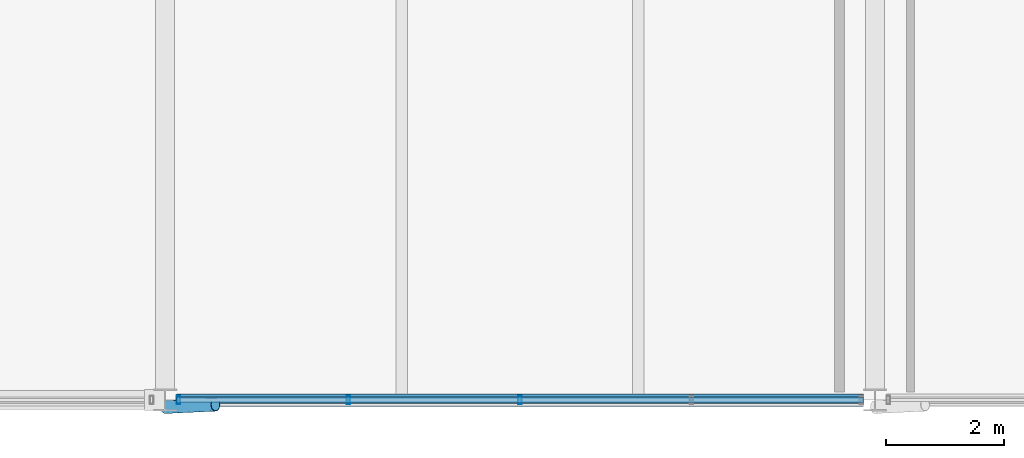
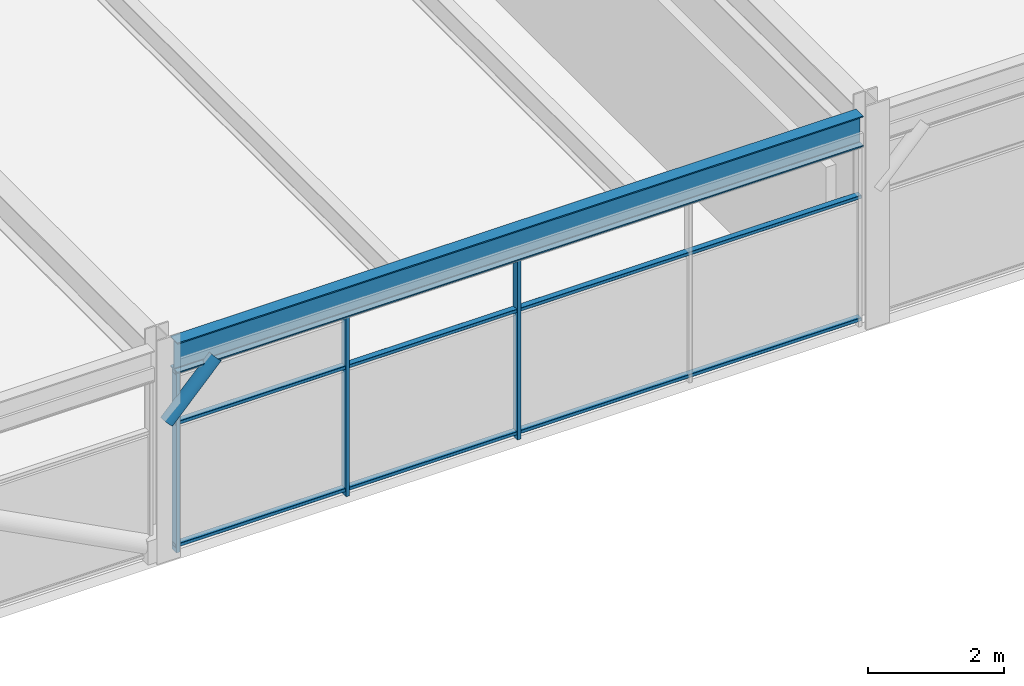
# One storey, part 11 of 52: 7 members, 1 beam, 1 element without a shape of its own.
"""IFC4 building model written with IfcOpenShell, lengths in metres."""

from ifc_helpers import new_model, si_unit, direction, frame, origin, origin_2d, place, context, subcontext, project, spatial, hollow_rectangle, hollow_circle, i_section, extrude, material, material_profile, profile_set, type_object, element, aggregate, save


model = new_model("IFC4")

# Units and contexts
model_context = context("Model", 3, precision=1e-05, world=origin(), true_north=direction((0.0, 1.0)))
body_context = subcontext(model_context, "Body", "Model", "MODEL_VIEW")
ifc_project = project(units=[si_unit("LENGTHUNIT", "METRE"), si_unit("AREAUNIT", "SQUARE_METRE"), si_unit("VOLUMEUNIT", "CUBIC_METRE"), si_unit("PLANEANGLEUNIT", "RADIAN"), si_unit("MASSUNIT", "GRAM", prefix="KILO")], contexts=[model_context])

# Site, building, storey
site_placement = place(None, origin())
site = spatial("IfcSite", under=ifc_project, at=site_placement, CompositionType="ELEMENT")
building_placement = place(site_placement, origin())
building = spatial("IfcBuilding", under=site, at=building_placement, Name="Girod Span Mobility Hub", CompositionType="ELEMENT")
storey_placement = place(building_placement, frame((0.0, 0.0, 45.60009765625)))
storey = spatial("IfcBuildingStorey", under=building, at=storey_placement, Name="L11", CompositionType="ELEMENT", Elevation=45.60009765625)

# Beam
ifc_material_1 = material(Name="Steel A992 Grade 50", Category="steel")
ifc_material_profile_1 = material_profile(ifc_material_1, i_section(OverallWidth=0.2119140625, OverallDepth=0.5439453125, WebThickness=0.01318359375, FlangeThickness=0.021240234375, FilletRadius=0.014892578125, at=origin_2d()), Name="W21X83")
ifc_profile_set_1 = profile_set([ifc_material_profile_1], Name="Steel A992 Grade 50")
beam_type = type_object("IfcBeamType", Name="BM-STL-W21X83", PredefinedType="SPANDREL", material=ifc_profile_set_1)
beam_placement = place(storey_placement, frame((48.194091796875, 27.0, 3.5078125), z_axis=(1.0, 0.0, 0.0), x_axis=(0.0, 1.0, 0.0)))
element("IfcBeam", 1, at=beam_placement, inside=storey, type_object=beam_type, Name="Girder 5-6/C L11", PredefinedType="SPANDREL", context=body_context, shape_type="SweptSolid", body=[
    extrude(i_section(OverallWidth=0.2119140625, OverallDepth=0.5439453125, WebThickness=0.01318359375, FlangeThickness=0.021240234375, FilletRadius=0.014892578125, at=origin_2d()), origin(), (0.0, 0.0, 1.0), 11.61181640625),
])

# Curtain wall, members
ifc_material_2 = material(Name="Thermally Broken Anodised Aluminium", Category="aluminium")
curtain_wall_type = type_object("IfcCurtainWallType", Name="CW-1161X324", PredefinedType="USERDEFINED", material=ifc_material_2)
curtain_wall_placement = place(storey_placement, origin())
curtain_wall = element("IfcCurtainWall", 2, at=curtain_wall_placement, inside=storey, type_object=curtain_wall_type, Name="Unitised Curtain Wall CW-L11-S05 L11", ObjectType="UNITISED CURTAIN WALL", PredefinedType="USERDEFINED")
ifc_material_3 = material(Name="Thermally Broken Anodised Aluminium", Category="aluminium")
ifc_material_profile_2 = material_profile(ifc_material_3, hollow_rectangle(XDim=0.139892578125, YDim=0.06005859375, WallThickness=0.00341796875, InnerFilletRadius=0.00341796875, OuterFilletRadius=0.007080078125, at=origin_2d()), Name="CW-ML-60X140")
ifc_profile_set_2 = profile_set([ifc_material_profile_2], Name="Thermally Broken Anodised Aluminium")
member_type_1 = type_object("IfcMemberType", Name="CWM-ML-4", PredefinedType="MULLION", material=ifc_profile_set_2)
member_1_placement = place(storey_placement, frame((48.22705078125, 27.0, 0.0), z_axis=(0.0, 0.0, 1.0), x_axis=(0.0, 1.0, 0.0)))
member_1 = element("IfcMember", 3, at=member_1_placement, type_object=member_type_1, Name="Curtain Wall Mullion CW-L11-S05-M0", PredefinedType="MULLION", context=body_context, shape_type="SweptSolid", body=[
    extrude(hollow_rectangle(XDim=0.139892578125, YDim=0.06005859375, WallThickness=0.00341796875, InnerFilletRadius=0.00341796875, OuterFilletRadius=0.007080078125, at=origin_2d()), origin(), (0.0, 0.0, 1.0), 3.23583984375),
])
member_2_placement = place(storey_placement, frame((51.097412109375, 27.0, 0.0), z_axis=(0.0, 0.0, 1.0), x_axis=(0.0, 1.0, 0.0)))
member_2 = element("IfcMember", 4, at=member_2_placement, type_object=member_type_1, Name="Curtain Wall Mullion CW-L11-S05-M1", PredefinedType="MULLION", context=body_context, shape_type="SweptSolid", body=[
    extrude(hollow_rectangle(XDim=0.139892578125, YDim=0.06005859375, WallThickness=0.00341796875, InnerFilletRadius=0.00341796875, OuterFilletRadius=0.007080078125, at=origin_2d()), origin(), (0.0, 0.0, 1.0), 3.23583984375),
])
member_3_placement = place(storey_placement, frame((54.0, 27.0, 0.0), z_axis=(0.0, 0.0, 1.0), x_axis=(0.0, 1.0, 0.0)))
member_3 = element("IfcMember", 5, at=member_3_placement, type_object=member_type_1, Name="Curtain Wall Mullion CW-L11-S05-M2", PredefinedType="MULLION", context=body_context, shape_type="SweptSolid", body=[
    extrude(hollow_rectangle(XDim=0.139892578125, YDim=0.06005859375, WallThickness=0.00341796875, InnerFilletRadius=0.00341796875, OuterFilletRadius=0.007080078125, at=origin_2d()), origin(), (0.0, 0.0, 1.0), 3.23583984375),
])
ifc_material_4 = material(Name="Thermally Broken Anodised Aluminium", Category="aluminium")
ifc_material_profile_3 = material_profile(ifc_material_4, hollow_rectangle(XDim=0.10498046875, YDim=0.06005859375, WallThickness=0.00341796875, InnerFilletRadius=0.00341796875, OuterFilletRadius=0.007080078125, at=origin_2d()), Name="CW-TR-60X105")
ifc_profile_set_3 = profile_set([ifc_material_profile_3], Name="Thermally Broken Anodised Aluminium")
member_type_2 = type_object("IfcMemberType", Name="CWM-TR-4", PredefinedType="USERDEFINED", material=ifc_profile_set_3)
member_4_placement = place(storey_placement, frame((48.195068359375, 27.0, 0.10986328125), z_axis=(1.0, 0.0, 0.0), x_axis=(0.0, 1.0, 0.0)))
member_4 = element("IfcMember", 6, at=member_4_placement, type_object=member_type_2, Name="Curtain Wall Transom CW-L11-S05-T1", ObjectType="TRANSOM", PredefinedType="USERDEFINED", context=body_context, shape_type="SweptSolid", body=[
    extrude(hollow_rectangle(XDim=0.10498046875, YDim=0.06005859375, WallThickness=0.00341796875, InnerFilletRadius=0.00341796875, OuterFilletRadius=0.007080078125, at=origin_2d()), origin(), (0.0, 0.0, 1.0), 11.60986328125),
])
member_5_placement = place(storey_placement, frame((48.195068359375, 27.0, 2.2998046875), z_axis=(1.0, 0.0, 0.0), x_axis=(0.0, 1.0, 0.0)))
member_5 = element("IfcMember", 7, at=member_5_placement, type_object=member_type_2, Name="Curtain Wall Transom CW-L11-S05-T2", ObjectType="TRANSOM", PredefinedType="USERDEFINED", context=body_context, shape_type="SweptSolid", body=[
    extrude(hollow_rectangle(XDim=0.10498046875, YDim=0.06005859375, WallThickness=0.00341796875, InnerFilletRadius=0.00341796875, OuterFilletRadius=0.007080078125, at=origin_2d()), origin(), (0.0, 0.0, 1.0), 11.60986328125),
])
member_6_placement = place(storey_placement, frame((48.195068359375, 27.0, 3.205810546875), z_axis=(1.0, 0.0, 0.0), x_axis=(0.0, 1.0, 0.0)))
member_6 = element("IfcMember", 8, at=member_6_placement, type_object=member_type_2, Name="Curtain Wall Transom CW-L11-S05-T3", ObjectType="TRANSOM", PredefinedType="USERDEFINED", context=body_context, shape_type="SweptSolid", body=[
    extrude(hollow_rectangle(XDim=0.10498046875, YDim=0.06005859375, WallThickness=0.00341796875, InnerFilletRadius=0.00341796875, OuterFilletRadius=0.007080078125, at=origin_2d()), origin(), (0.0, 0.0, 1.0), 11.60986328125),
])
aggregate(curtain_wall, [member_1, member_2, member_3, member_4, member_5, member_6])

# Member
ifc_material_5 = material(Name="Steel HSS A500 Grade C", Category="steel")
ifc_material_profile_4 = material_profile(ifc_material_5, hollow_circle(Radius=0.109619140625, WallThickness=0.0087890625, at=origin_2d()), Name="HSS219X9.5")
ifc_profile_set_4 = profile_set([ifc_material_profile_4], Name="Steel HSS A500 Grade C")
member_type_3 = type_object("IfcMemberType", Name="MB-ST-HSS219", PredefinedType="STRUT", material=ifc_profile_set_4)
member_7_placement = place(storey_placement, frame((48.0, 26.8798828125, 2.449951171875), z_axis=(0.706816330442, 0.033290602583, 0.706613338963), x_axis=(-0.047047213483, 0.998892666758, 0.0)))
element("IfcMember", 9, at=member_7_placement, inside=storey, type_object=member_type_3, Name="Solar Shading Knee Strut 5 L11", PredefinedType="STRUT", context=body_context, shape_type="SweptSolid", body=[
    extrude(hollow_circle(Radius=0.109619140625, WallThickness=0.0087890625, at=origin_2d()), origin(), (0.0, 0.0, 1.0), 1.20263671875),
])

save(model, "model.ifc")
